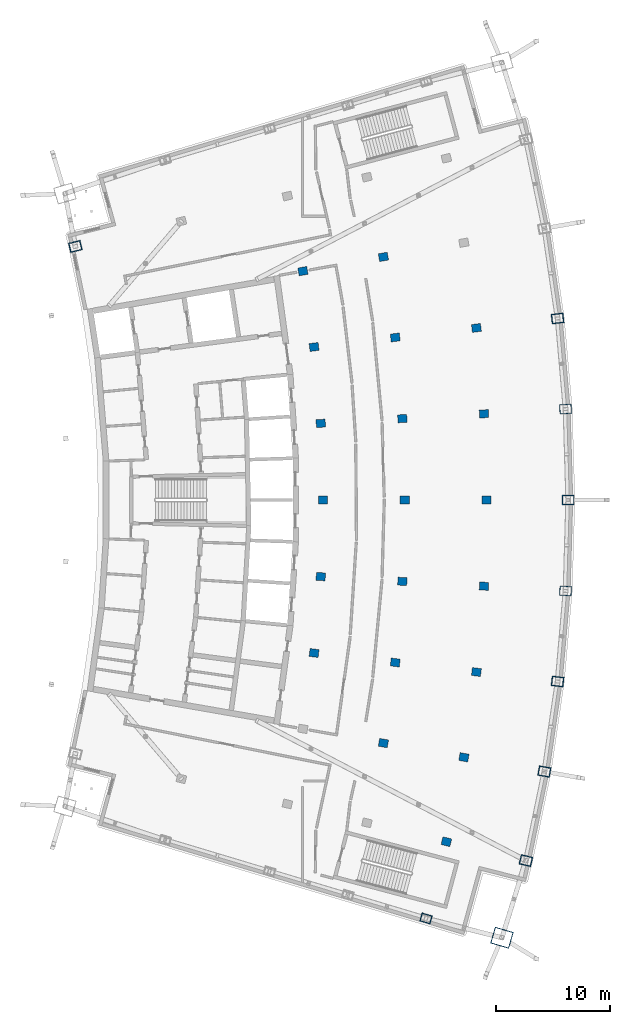
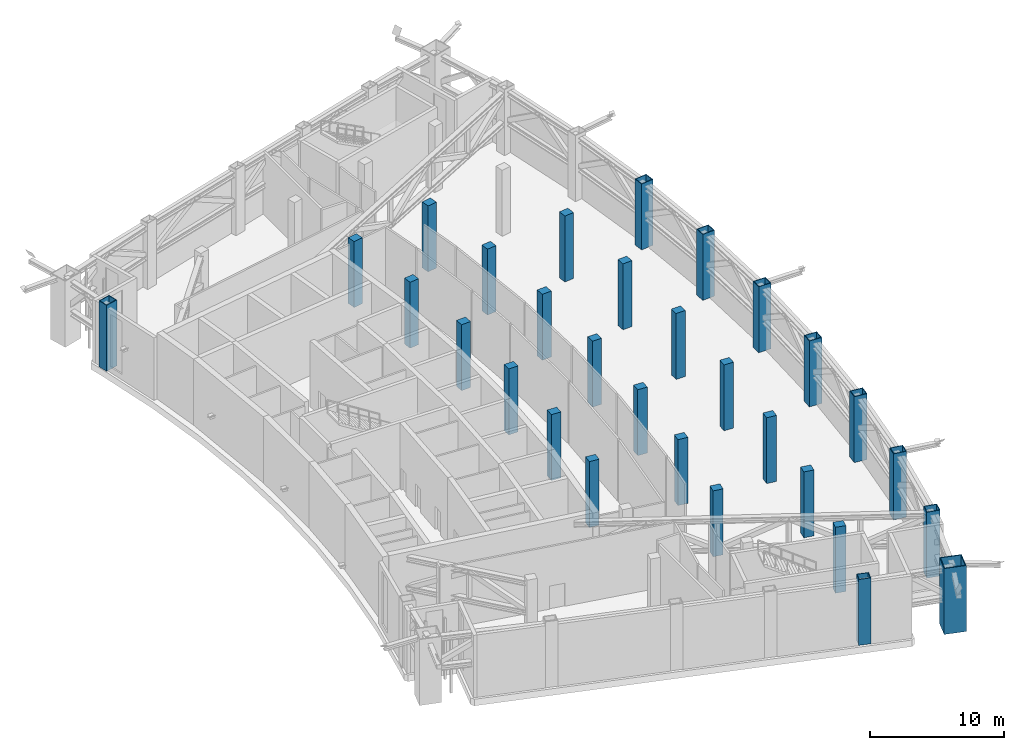
# One storey, part 4 of 23: 30 columns.
"""IFC4 building model written with IfcOpenShell, lengths in metres."""

import ifcopenshell
import ifcopenshell.guid

model = None  # the IFC model being written
_history = None  # IfcOwnerHistory: only IFC2X3 demands one
_inside = {}  # id of a spatial element -> (the spatial element, [elements in it])
_under = {}  # id of a project, library or spatial element -> (it, [spatial elements below it])
_declared = {}  # id of a project -> (the project, [libraries it declares])
_typed = {}  # id of a type object -> (the type object, [elements of that type])
_made_of = {}  # id of a material, layer set ... -> (it, [elements and type objects made of it])


def new_model(schema):
    """Start an empty IFC model of exactly this schema.

    Asked for "IFC4X3", IfcOpenShell would pick the latest addendum, in which some entities
    have other attributes; the version numbers below select the first issue.
    IFC2X3 requires an IfcOwnerHistory on every rooted entity: one is made here for all.
    """
    global model, _history
    if schema == "IFC4X3":
        model = ifcopenshell.file(schema_version=(4, 3, 0, 0))
    else:
        model = ifcopenshell.file(schema=schema)
    _inside.clear()
    _under.clear()
    _declared.clear()
    _typed.clear()
    _made_of.clear()
    _history = None
    if model.schema == "IFC2X3":
        org = make("IfcOrganization", Name="unknown")
        user = make(
            "IfcPersonAndOrganization",
            ThePerson=make("IfcPerson", FamilyName="unknown"),
            TheOrganization=org,
        )
        app = make(
            "IfcApplication",
            ApplicationDeveloper=org,
            Version="unknown",
            ApplicationFullName="unknown",
            ApplicationIdentifier="unknown",
        )
        _history = make(
            "IfcOwnerHistory",
            OwningUser=user,
            OwningApplication=app,
            ChangeAction="ADDED",
            CreationDate=0,
        )
    return model


def make(cls, **values):
    """One entity of the class cls with the attributes given. An attribute that is None is left unset."""
    return model.create_entity(
        cls, **{name: value for name, value in values.items() if value is not None}
    )


def rooted(cls, **values):
    """An entity with a GlobalId (a new one), such as an element, a storey or a relation."""
    return make(cls, GlobalId=ifcopenshell.guid.new(), OwnerHistory=_history, **values)


def si_unit(unit_type, name, prefix=None):
    """IfcSIUnit, for example si_unit("LENGTHUNIT", "METRE", prefix="MILLI")."""
    return make("IfcSIUnit", UnitType=unit_type, Prefix=prefix, Name=name)


def assignment(units):
    """IfcUnitAssignment: the units of a project."""
    return None if units is None else make("IfcUnitAssignment", Units=units)


def point(xyz):
    """IfcCartesianPoint."""
    return None if xyz is None else make("IfcCartesianPoint", Coordinates=xyz)


def direction(xyz):
    """IfcDirection."""
    return None if xyz is None else make("IfcDirection", DirectionRatios=xyz)


def frame(location, z_axis=None, x_axis=None):
    """IfcAxis2Placement3D, a coordinate frame: its origin and axes. An axis left out is left unset."""
    return make(
        "IfcAxis2Placement3D",
        Location=point(location),
        Axis=direction(z_axis),
        RefDirection=direction(x_axis),
    )


def frame_2d(location, x_axis=None):
    """IfcAxis2Placement2D, a coordinate frame in the plane: its origin and x axis."""
    return make(
        "IfcAxis2Placement2D", Location=point(location), RefDirection=direction(x_axis)
    )


def origin():
    """The frame at (0, 0, 0) with its axes left unset."""
    return frame((0.0, 0.0, 0.0))


def origin_2d():
    """The frame at (0, 0) in the plane with its x axis left unset."""
    return frame_2d((0.0, 0.0))


def place(relative_to, where):
    """IfcLocalPlacement: puts the frame where relative to a parent placement (None: the world)."""
    return make(
        "IfcLocalPlacement", PlacementRelTo=relative_to, RelativePlacement=where
    )


def context(
    kind, dimensions, precision=None, world=None, true_north=None, identifier=None
):
    """IfcGeometricRepresentationContext, for example the 3D "Model" context."""
    return make(
        "IfcGeometricRepresentationContext",
        ContextIdentifier=identifier,
        ContextType=kind,
        CoordinateSpaceDimension=dimensions,
        Precision=precision,
        WorldCoordinateSystem=world,
        TrueNorth=true_north,
    )


def subcontext(parent, identifier, kind, view, scale=None):
    """IfcGeometricRepresentationSubContext, for example "Body" below "Model"."""
    return make(
        "IfcGeometricRepresentationSubContext",
        ContextIdentifier=identifier,
        ContextType=kind,
        ParentContext=parent,
        TargetScale=scale,
        TargetView=view,
    )


def project(units=None, contexts=None):
    """IfcProject with its units and contexts."""
    return rooted(
        "IfcProject",
        Name="project",
        RepresentationContexts=contexts,
        UnitsInContext=assignment(units),
    )


def spatial(cls, under=None, at=None, **own):
    """A site, building, storey or space (cls), placed at a placement, below another one or the project."""
    s = rooted(cls, ObjectPlacement=at, **own)
    if under is not None:
        _under.setdefault(under.id(), (under, []))[1].append(s)
    return s


def profile(cls, at=None, kind="AREA", **sizes):
    """A parametric profile (cls). Its sizes go by their IFC names, for example OverallWidth=200.0."""
    return make(cls, ProfileType=kind, Position=at, **sizes)


def rectangle(**sizes):
    """IfcRectangleProfileDef."""
    return profile("IfcRectangleProfileDef", **sizes)


def hollow_rectangle(**sizes):
    """IfcRectangleHollowProfileDef."""
    return profile("IfcRectangleHollowProfileDef", **sizes)


def extrude(swept, where, along, depth):
    """IfcExtrudedAreaSolid: the profile swept, set in the frame where, extruded along a direction by depth."""
    return make(
        "IfcExtrudedAreaSolid",
        SweptArea=swept,
        Position=where,
        ExtrudedDirection=direction(along),
        Depth=depth,
    )


def shape(context_of_items, identifier, shape_type, items):
    """IfcShapeRepresentation: the items that make up one representation, for example the "Body"."""
    return make(
        "IfcShapeRepresentation",
        ContextOfItems=context_of_items,
        RepresentationIdentifier=identifier,
        RepresentationType=shape_type,
        Items=items,
    )


def material(Name=None, Category=None):
    """IfcMaterial."""
    return make("IfcMaterial", Name=Name, Category=Category)


def material_profile(
    of_material, cross_section, Name=None, Category=None, Priority=None
):
    """IfcMaterialProfile: a cross section and its material."""
    return make(
        "IfcMaterialProfile",
        Name=Name,
        Material=of_material,
        Profile=cross_section,
        Priority=Priority,
        Category=Category,
    )


def profile_set(profiles, Name=None, composite=None):
    """IfcMaterialProfileSet."""
    return make(
        "IfcMaterialProfileSet",
        Name=Name,
        MaterialProfiles=profiles,
        CompositeProfile=composite,
    )


def made_of(thing, what):
    """Note that an element or type object is made of a material, layer set ...; save() writes the relation."""
    if what is not None:
        _made_of.setdefault(what.id(), (what, []))[1].append(thing)
    return thing


def type_object(cls, material=None, **own):
    """A type object (cls), such as IfcWallType, which elements share."""
    return made_of(rooted(cls, **own), material)


def element(
    cls,
    number,
    at=None,
    inside=None,
    cuts=None,
    type_object=None,
    material=None,
    context=None,
    identifier="Body",
    shape_type=None,
    held_by="IfcProductDefinitionShape",
    body=None,
    shapes=None,
    **own,
):
    """One element of the class cls, such as IfcWall. Its Tag is "e" and its number.

    at: its placement. inside: the storey or other place that contains it. cuts: it is an
    opening in that element (IfcRelVoidsElement). A single representation is given by context,
    identifier, shape_type and body (its items); several are given by shapes. held_by: the class
    of the entity that holds the representations. save() writes the other relations.
    """
    e = rooted(cls, Tag="e%d" % number, ObjectPlacement=at, **own)
    if body is not None:
        shapes = [shape(context, identifier, shape_type, body)]
    if shapes is not None:
        e.Representation = make(held_by, Representations=shapes)
    if inside is not None:
        _inside.setdefault(inside.id(), (inside, []))[1].append(e)
    if cuts is not None:
        rooted(
            "IfcRelVoidsElement", RelatingBuildingElement=cuts, RelatedOpeningElement=e
        )
    if type_object is not None:
        _typed.setdefault(type_object.id(), (type_object, []))[1].append(e)
    return made_of(e, material)


def aggregate(whole, parts):
    """IfcRelAggregates: a whole, such as a stair, and the parts it consists of."""
    return rooted("IfcRelAggregates", RelatingObject=whole, RelatedObjects=parts)


def save(model, path):
    """Write the relations noted so far, then the file.

    IfcRelAggregates (storeys below a building ...), IfcRelContainedInSpatialStructure (elements
    in a storey), IfcRelDefinesByType, IfcRelAssociatesMaterial and IfcRelDeclares: one each for
    every whole, place, type object, material and project.
    """
    for whole, parts in _under.values():
        aggregate(whole, parts)
    for where, things in _inside.values():
        rooted(
            "IfcRelContainedInSpatialStructure",
            RelatedElements=things,
            RelatingStructure=where,
        )
    for kind, things in _typed.values():
        rooted("IfcRelDefinesByType", RelatedObjects=things, RelatingType=kind)
    for what, things in _made_of.values():
        rooted("IfcRelAssociatesMaterial", RelatedObjects=things, RelatingMaterial=what)
    for by, libraries in _declared.values():
        rooted("IfcRelDeclares", RelatingContext=by, RelatedDefinitions=libraries)
    model.write(path)


model = new_model("IFC4")

# Units and contexts
model_context = context("Model", 3, precision=1e-05, world=origin(), true_north=direction((0.0, 1.0)))
body_context = subcontext(model_context, "Body", "Model", "MODEL_VIEW")
ifc_project = project(units=[si_unit("LENGTHUNIT", "METRE"), si_unit("AREAUNIT", "SQUARE_METRE"), si_unit("VOLUMEUNIT", "CUBIC_METRE"), si_unit("PLANEANGLEUNIT", "RADIAN"), si_unit("MASSUNIT", "GRAM", prefix="KILO")], contexts=[model_context])

# Site, building, storey
site_placement = place(None, origin())
site = spatial("IfcSite", under=ifc_project, at=site_placement, CompositionType="ELEMENT")
building_placement = place(site_placement, origin())
building = spatial("IfcBuilding", under=site, at=building_placement, Name="Alderwake Tower", CompositionType="ELEMENT")
storey_placement = place(building_placement, frame((0.0, 0.0, 239.60009765625)))
storey = spatial("IfcBuildingStorey", under=building, at=storey_placement, Name="L59", CompositionType="ELEMENT", Elevation=239.60009765625)

# Columns
ifc_material_1 = material(Name="Steel ASTM A572 Grade 50 concrete filled C70/85", Category="concrete")
ifc_material_profile_1 = material_profile(ifc_material_1, hollow_rectangle(XDim=0.75, YDim=0.949951171875, WallThickness=0.054931640625, at=origin_2d()), Name="BOX 950X750X55")
ifc_profile_set_1 = profile_set([ifc_material_profile_1], Name="Steel ASTM A572 Grade 50 concrete filled C70/85")
column_type_1 = type_object("IfcColumnType", Name="End column Z4", PredefinedType="COLUMN", material=ifc_profile_set_1)
column_1_placement = place(storey_placement, frame((44.872314453125, 24.13623046875, 0.0), z_axis=(0.0, 0.0, 1.0), x_axis=(0.283131639396, 0.959081057457, 0.0)))
element("IfcColumn", 1, at=column_1_placement, inside=storey, type_object=column_type_1, Name="Column R02-C4", PredefinedType="COLUMN", context=body_context, shape_type="SweptSolid", body=[
    extrude(hollow_rectangle(XDim=0.75, YDim=0.949951171875, WallThickness=0.054931640625, at=origin_2d()), origin(), (0.0, 0.0, 1.0), 6.0),
])
ifc_material_2 = material(Name="Concrete C70/85", Category="concrete")
ifc_material_profile_2 = material_profile(ifc_material_2, rectangle(XDim=0.699951171875, YDim=0.800048828125, at=origin_2d()), Name="RC 800X700")
ifc_profile_set_2 = profile_set([ifc_material_profile_2], Name="Concrete C70/85")
column_type_2 = type_object("IfcColumnType", Name="Interior column Z4", PredefinedType="COLUMN", material=ifc_profile_set_2)
for number, where, z_axis, x_axis, name in (
    (2, (46.671630859375, 30.89501953125, 0.0), (0.0, 0.0, 1.0), (0.231221547198, 0.972901123502, 0.0), "Column R03-C4"),
    (3, (41.121337890625, 39.584716796875, 0.0), (0.0, 0.0, 1.0), (0.174108800747, 0.984726421654, 0.0), "Column R04-C3"),
    (4, (48.21142578125, 38.3310546875, 0.0), (0.0, 0.0, 1.0), (0.174108800747, 0.984726421654, 0.0), "Column R04-C4"),
    (5, (35.0126953125, 47.5205078125, 0.0), (0.0, 0.0, 1.0), (0.116402054316, 0.993202175668, 0.0), "Column R05-C2"),
    (6, (42.163818359375, 46.6826171875, 0.0), (0.0, 0.0, 1.0), (0.116402054316, 0.993202175668, 0.0), "Column R05-C3"),
    (7, (49.31494140625, 45.844482421875, 0.0), (0.0, 0.0, 1.0), (0.116402054316, 0.993202175668, 0.0), "Column R05-C4"),
    (8, (35.60302734375, 54.248779296875, 0.0), (0.0, 0.0, 1.0), (0.058301061284, 0.998299046505, 0.0), "Column R06-C2"),
    (9, (42.790771484375, 53.8291015625, 0.0), (0.0, 0.0, 1.0), (0.058299318924, 0.998299148258, 0.0), "Column R06-C3"),
    (10, (49.978515625, 53.4091796875, 0.0), (0.0, 0.0, 1.0), (0.058301061284, 0.998299046505, 0.0), "Column R06-C4"),
    (11, (35.800048828125, 61.0, 0.0), (0.0, 0.0, 1.0), (0.0, 1.0, 0.0), "Column R07-C2"),
    (12, (43.0, 61.0, 0.0), (0.0, 0.0, 1.0), (0.0, 1.0, 0.0), "Column R07-C3"),
    (13, (50.199951171875, 61.0, 0.0), (0.0, 0.0, 1.0), (0.0, 1.0, 0.0), "Column R07-C4"),
    (14, (35.60302734375, 67.751220703125, 0.0), (0.0, 0.0, 1.0), (-0.058301061284, 0.998299046505, 0.0), "Column R08-C2"),
    (15, (42.790771484375, 68.1708984375, 0.0), (0.0, 0.0, 1.0), (-0.058299318924, 0.998299148258, 0.0), "Column R08-C3"),
    (16, (49.978515625, 68.5908203125, 0.0), (0.0, 0.0, 1.0), (-0.058301061284, 0.998299046505, 0.0), "Column R08-C4"),
    (17, (35.0126953125, 74.4794921875, 0.0), (0.0, 0.0, 1.0), (-0.116402054316, 0.993202175668, 0.0), "Column R09-C2"),
    (18, (42.163818359375, 75.3173828125, 0.0), (0.0, 0.0, 1.0), (-0.116402054316, 0.993202175668, 0.0), "Column R09-C3"),
    (19, (49.31494140625, 76.155517578125, 0.0), (0.0, 0.0, 1.0), (-0.116402054316, 0.993202175668, 0.0), "Column R09-C4"),
    (20, (34.03125, 81.16162109375, 0.0), (0.0, 0.0, 1.0), (-0.174108800747, 0.984726421654, 0.0), "Column R10-C2"),
    (21, (41.121337890625, 82.415283203125, 0.0), (0.0, 0.0, 1.0), (-0.174108800747, 0.984726421654, 0.0), "Column R10-C3"),
):
    element("IfcColumn", number, at=place(storey_placement, frame(where, z_axis=z_axis, x_axis=x_axis)), inside=storey, type_object=column_type_2, Name=name, PredefinedType="COLUMN", context=body_context, shape_type="SweptSolid", body=[
        extrude(rectangle(XDim=0.699951171875, YDim=0.800048828125, at=origin_2d()), origin(), (0.0, 0.0, 1.0), 6.0),
    ])
ifc_material_3 = material(Name="Steel ASTM A572 Grade 50 concrete filled C70/85", Category="concrete")
ifc_material_profile_3 = material_profile(ifc_material_3, hollow_rectangle(XDim=1.5, YDim=1.699951171875, WallThickness=0.074951171875, at=origin_2d()), Name="BOX 1700X1500X75")
ifc_profile_set_3 = profile_set([ifc_material_profile_3], Name="Steel ASTM A572 Grade 50 concrete filled C70/85")
column_type_3 = type_object("IfcColumnType", Name="Mega column Z4", PredefinedType="COLUMN", material=ifc_profile_set_3)
column_2_placement = place(storey_placement, frame((51.565185546875, 22.43798828125, 0.0), z_axis=(0.0, 0.0, 1.0), x_axis=(0.281269716931, 0.959628754435, 0.0)))
element("IfcColumn", 22, at=column_2_placement, inside=storey, type_object=column_type_3, Name="Column R02-C5", PredefinedType="COLUMN", context=body_context, shape_type="SweptSolid", body=[
    extrude(hollow_rectangle(XDim=1.5, YDim=1.699951171875, WallThickness=0.074951171875, at=origin_2d()), origin(), (0.0, 0.0, 1.0), 6.0),
])
ifc_material_4 = material(Name="Steel ASTM A572 Grade 50 concrete filled C70/85", Category="concrete")
ifc_material_profile_4 = material_profile(ifc_material_4, hollow_rectangle(XDim=0.85009765625, YDim=1.050048828125, WallThickness=0.054931640625, at=origin_2d()), Name="BOX 1050X850X55")
ifc_profile_set_4 = profile_set([ifc_material_profile_4], Name="Steel ASTM A572 Grade 50 concrete filled C70/85")
column_type_4 = type_object("IfcColumnType", Name="Perimeter column Z4", PredefinedType="COLUMN", material=ifc_profile_set_4)
for number, where, z_axis, x_axis, name in (
    (23, (53.676513671875, 29.22998046875, 0.0), (0.0, 0.0, 1.0), (0.231221547198, 0.972901123502, 0.0), "Column R03-C5"),
    (24, (55.301513671875, 37.077392578125, 0.0), (0.0, 0.0, 1.0), (0.174108800747, 0.984726421654, 0.0), "Column R04-C5"),
    (25, (56.466064453125, 45.00634765625, 0.0), (0.0, 0.0, 1.0), (0.116402054316, 0.993202175668, 0.0), "Column R05-C5"),
    (26, (57.166259765625, 52.989501953125, 0.0), (0.0, 0.0, 1.0), (0.058301061284, 0.998299046505, 0.0), "Column R06-C5"),
    (27, (57.39990234375, 61.0, 0.0), (0.0, 0.0, 1.0), (0.0, 1.0, 0.0), "Column R07-C5"),
    (28, (57.166259765625, 69.010498046875, 0.0), (0.0, 0.0, 1.0), (-0.058301061284, 0.998299046505, 0.0), "Column R08-C5"),
    (29, (56.466064453125, 76.99365234375, 0.0), (0.0, 0.0, 1.0), (-0.116402054316, 0.993202175668, 0.0), "Column R09-C5"),
    (30, (13.982177734375, 83.3359375, 0.0), (0.0, 0.0, 1.0), (-0.231221547198, 0.972901123502, 0.0), "Column R11-C0"),
):
    element("IfcColumn", number, at=place(storey_placement, frame(where, z_axis=z_axis, x_axis=x_axis)), inside=storey, type_object=column_type_4, Name=name, PredefinedType="COLUMN", context=body_context, shape_type="SweptSolid", body=[
        extrude(hollow_rectangle(XDim=0.85009765625, YDim=1.050048828125, WallThickness=0.054931640625, at=origin_2d()), origin(), (0.0, 0.0, 1.0), 6.0),
    ])

save(model, "model.ifc")
